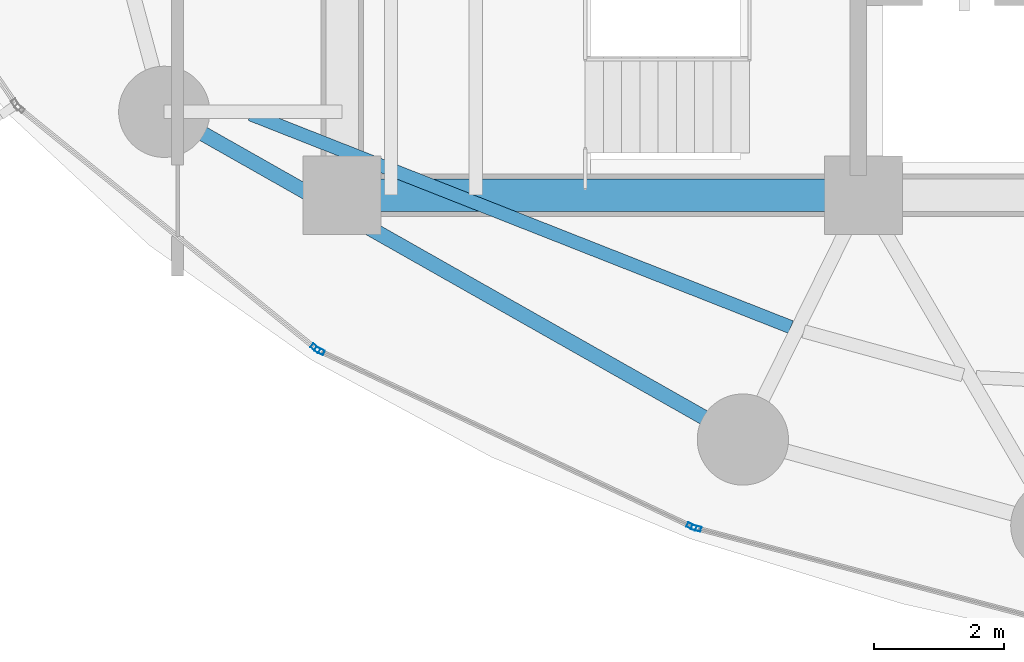
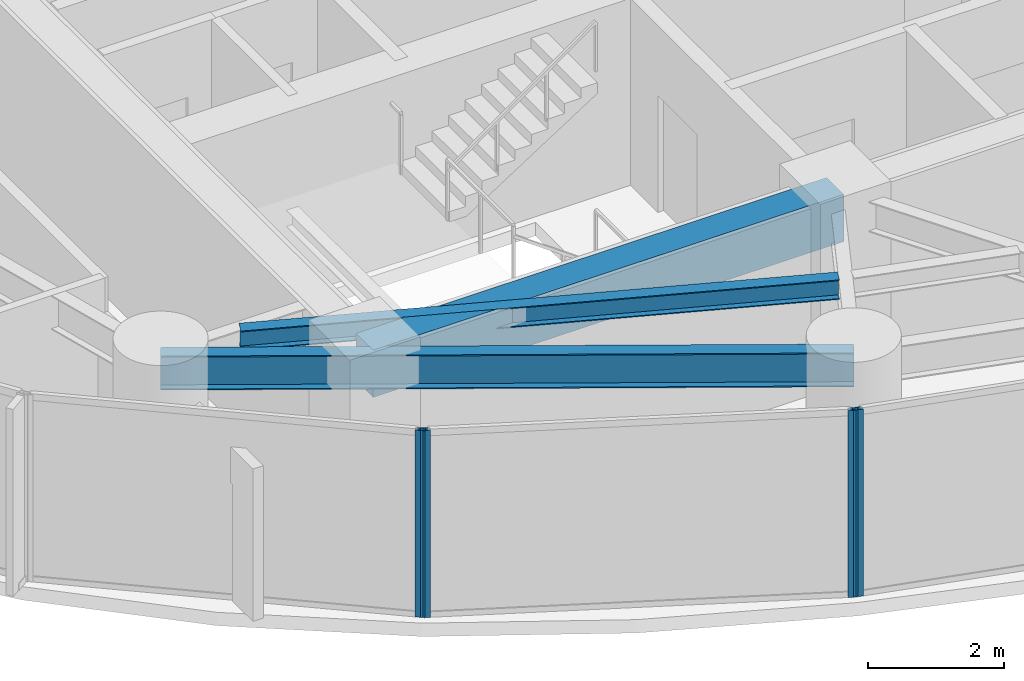
# One storey, part 2 of 31: 4 members, 3 beams, 3 elements without a shape of their own.
"""IFC4 building model written with IfcOpenShell, lengths in metres."""

from ifc_helpers import new_model, si_unit, direction, frame, origin, origin_2d, place, context, subcontext, project, spatial, rectangle, hollow_rectangle, i_section, extrude, material, layer, layer_set, material_profile, profile_set, type_object, element, aggregate, save


model = new_model("IFC4")

# Units and contexts
model_context = context("Model", 3, precision=1e-05, world=origin(), true_north=direction((0.0, 1.0)))
body_context = subcontext(model_context, "Body", "Model", "MODEL_VIEW")
ifc_project = project(units=[si_unit("LENGTHUNIT", "METRE"), si_unit("AREAUNIT", "SQUARE_METRE"), si_unit("VOLUMEUNIT", "CUBIC_METRE"), si_unit("PLANEANGLEUNIT", "RADIAN"), si_unit("MASSUNIT", "GRAM", prefix="KILO")], contexts=[model_context])

# Site, building, storey
site_placement = place(None, origin())
site = spatial("IfcSite", under=ifc_project, at=site_placement, CompositionType="ELEMENT")
building_placement = place(site_placement, origin())
building = spatial("IfcBuilding", under=site, at=building_placement, Name="Kazevale Care Tower and Concert Hall", CompositionType="ELEMENT")
storey_placement = place(building_placement, frame((0.0, 0.0, 78.0)))
storey = spatial("IfcBuildingStorey", under=building, at=storey_placement, Name="L20", CompositionType="ELEMENT", Elevation=78.0)

# Curtain wall, member
ifc_material_1 = material(Name="Aluminium 6063-T6 and Low-E Glass", Category="aluminium")
ifc_layer = layer(ifc_material_1, 0.179931640625)
ifc_layer_set = layer_set([ifc_layer], Name="Aluminium 6063-T6 and Low-E Glass")
curtain_wall_type = type_object("IfcCurtainWallType", Name="Sheltered Concave Balcony Curtain Wall CW-5", PredefinedType="NOTDEFINED", material=ifc_layer_set)
curtain_wall_1_placement = place(storey_placement, origin())
curtain_wall_1 = element("IfcCurtainWall", 1, at=curtain_wall_1_placement, inside=storey, type_object=curtain_wall_type, Name="cw:L20:f08", PredefinedType="NOTDEFINED")
ifc_material_2 = material(Name="Aluminium 6063-T6", Category="aluminium")
ifc_material_profile_1 = material_profile(ifc_material_2, hollow_rectangle(XDim=0.074951171875, YDim=0.14990234375, WallThickness=0.00390625, at=origin_2d()), Name="ALU75x150x4")
ifc_profile_set_1 = profile_set([ifc_material_profile_1], Name="Aluminium 6063-T6")
member_type = type_object("IfcMemberType", Name="CW-5 Mullion ALU75x150x4", PredefinedType="MULLION", material=ifc_profile_set_1)
member_1_placement = place(storey_placement, frame((27.433349609375, 18.489501953125, 0.0), z_axis=(0.0, 0.0, 1.0), x_axis=(-0.254828630267, -0.966986230097, 0.0)))
member_1 = element("IfcMember", 2, at=member_1_placement, type_object=member_type, Name="CW-5 mullion 2", PredefinedType="MULLION", context=body_context, shape_type="SweptSolid", body=[
    extrude(hollow_rectangle(XDim=0.074951171875, YDim=0.14990234375, WallThickness=0.00390625, at=origin_2d()), origin(), (0.0, 0.0, 1.0), 3.360107421875),
])
aggregate(curtain_wall_1, [member_1])

# Curtain wall, members
curtain_wall_2_placement = place(storey_placement, origin())
curtain_wall_2 = element("IfcCurtainWall", 3, at=curtain_wall_2_placement, inside=storey, type_object=curtain_wall_type, Name="cw:L20:f09", PredefinedType="NOTDEFINED")
member_2_placement = place(storey_placement, frame((27.363037109375, 18.514892578125, 0.0), z_axis=(0.0, 0.0, 1.0), x_axis=(-0.426942320459, -0.904278859092, 0.0)))
member_2 = element("IfcMember", 4, at=member_2_placement, type_object=member_type, Name="CW-5 mullion 1", PredefinedType="MULLION", context=body_context, shape_type="SweptSolid", body=[
    extrude(hollow_rectangle(XDim=0.074951171875, YDim=0.14990234375, WallThickness=0.00390625, at=origin_2d()), origin(), (0.0, 0.0, 1.0), 3.360107421875),
])
member_3_placement = place(storey_placement, frame((21.65283203125, 21.2109375, 0.0), z_axis=(0.0, 0.0, 1.0), x_axis=(-0.426942320459, -0.904278859092, 0.0)))
member_3 = element("IfcMember", 5, at=member_3_placement, type_object=member_type, Name="CW-5 mullion 2", PredefinedType="MULLION", context=body_context, shape_type="SweptSolid", body=[
    extrude(hollow_rectangle(XDim=0.074951171875, YDim=0.14990234375, WallThickness=0.00390625, at=origin_2d()), origin(), (0.0, 0.0, 1.0), 3.360107421875),
])
aggregate(curtain_wall_2, [member_2, member_3])

# Curtain wall, member
curtain_wall_3_placement = place(storey_placement, origin())
curtain_wall_3 = element("IfcCurtainWall", 6, at=curtain_wall_3_placement, inside=storey, type_object=curtain_wall_type, Name="cw:L20:f10", PredefinedType="NOTDEFINED")
member_4_placement = place(storey_placement, frame((21.58984375, 21.250732421875, 0.0), z_axis=(0.0, 0.0, 1.0), x_axis=(-0.629994732952, -0.77659940539, 0.0)))
member_4 = element("IfcMember", 7, at=member_4_placement, type_object=member_type, Name="CW-5 mullion 1", PredefinedType="MULLION", context=body_context, shape_type="SweptSolid", body=[
    extrude(hollow_rectangle(XDim=0.074951171875, YDim=0.14990234375, WallThickness=0.00390625, at=origin_2d()), origin(), (0.0, 0.0, 1.0), 3.360107421875),
])
aggregate(curtain_wall_3, [member_4])

# Beams
ifc_material_3 = material(Name="Concrete C60", Category="concrete")
ifc_material_profile_2 = material_profile(ifc_material_3, rectangle(XDim=0.5, YDim=0.85009765625, at=origin_2d()), Name="RC-B500x850")
ifc_profile_set_2 = profile_set([ifc_material_profile_2], Name="Concrete C60")
beam_type_1 = type_object("IfcBeamType", Name="Core Coupling Beam RC500x850", PredefinedType="LINTEL", material=ifc_profile_set_2)
beam_1_placement = place(storey_placement, frame((22.0, 23.60009765625, 2.93505859375), z_axis=(1.0, 0.0, 0.0), x_axis=(0.0, 1.0, 0.0)))
element("IfcBeam", 8, at=beam_1_placement, inside=storey, type_object=beam_type_1, Name="beam:L20:coretie:1", PredefinedType="LINTEL", context=body_context, shape_type="SweptSolid", body=[
    extrude(rectangle(XDim=0.5, YDim=0.85009765625, at=origin_2d()), origin(), (0.0, 0.0, 1.0), 8.0),
])
ifc_material_4 = material(Name="Steel ASTM A572 Gr 50", Category="steel")
ifc_material_profile_3 = material_profile(ifc_material_4, i_section(OverallWidth=0.22900390625, OverallDepth=0.612060546875, WebThickness=0.011962890625, FlangeThickness=0.01953125, at=origin_2d()), Name="W610x125")
ifc_profile_set_3 = profile_set([ifc_material_profile_3], Name="Steel ASTM A572 Gr 50")
beam_type_2 = type_object("IfcBeamType", Name="Ring Spandrel Beam W610x125", PredefinedType="SPANDREL", material=ifc_profile_set_3)
beam_2_placement = place(storey_placement, frame((19.27001953125, 24.8798828125, 3.053955078125), z_axis=(0.870112469479, -0.492853213906, 0.0), x_axis=(0.492853213906, 0.870112469479, 0.0)))
element("IfcBeam", 9, at=beam_2_placement, inside=storey, type_object=beam_type_2, Name="beam:L20:ring:10", PredefinedType="SPANDREL", context=body_context, shape_type="SweptSolid", body=[
    extrude(i_section(OverallWidth=0.22900390625, OverallDepth=0.612060546875, WebThickness=0.011962890625, FlangeThickness=0.01953125, at=origin_2d()), origin(), (0.0, 0.0, 1.0), 10.205322265625),
])
ifc_material_profile_4 = material_profile(ifc_material_4, i_section(OverallWidth=0.205078125, OverallDepth=0.35400390625, WebThickness=0.009521484375, FlangeThickness=0.016845703125, at=origin_2d()), Name="W360x79")
ifc_profile_set_4 = profile_set([ifc_material_profile_4], Name="Steel ASTM A572 Gr 50")
beam_type_3 = type_object("IfcBeamType", Name="Secondary Floor Joist W360x79", PredefinedType="JOIST", material=ifc_profile_set_4)
beam_3_placement = place(storey_placement, frame((20.595947265625, 24.842041015625, 3.18310546875), z_axis=(0.930380638802, -0.366594963062, 0.0), x_axis=(0.366594963062, 0.930380638802, 0.0)))
element("IfcBeam", 10, at=beam_3_placement, inside=storey, type_object=beam_type_3, Name="beam:L20:joist:10", PredefinedType="JOIST", context=body_context, shape_type="SweptSolid", body=[
    extrude(i_section(OverallWidth=0.205078125, OverallDepth=0.35400390625, WebThickness=0.009521484375, FlangeThickness=0.016845703125, at=origin_2d()), origin(), (0.0, 0.0, 1.0), 8.909423828125),
])

save(model, "model.ifc")
